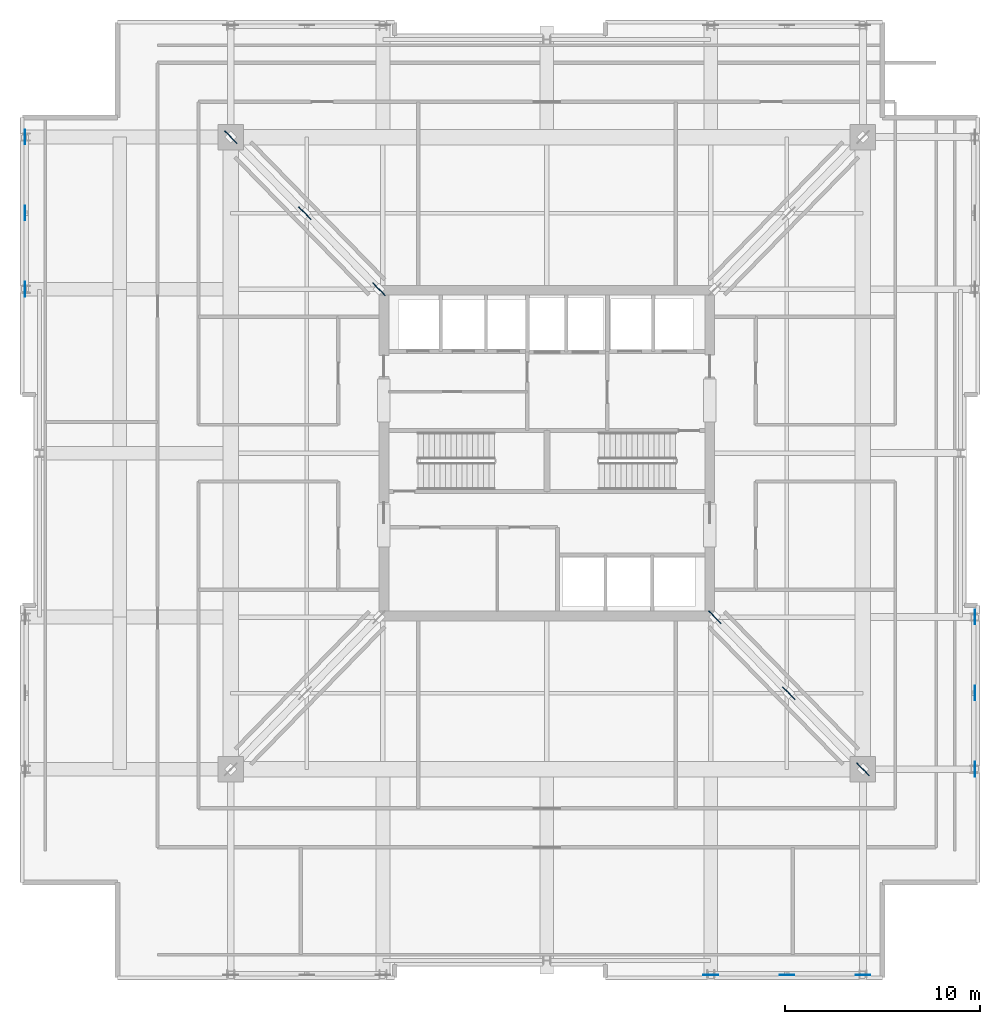
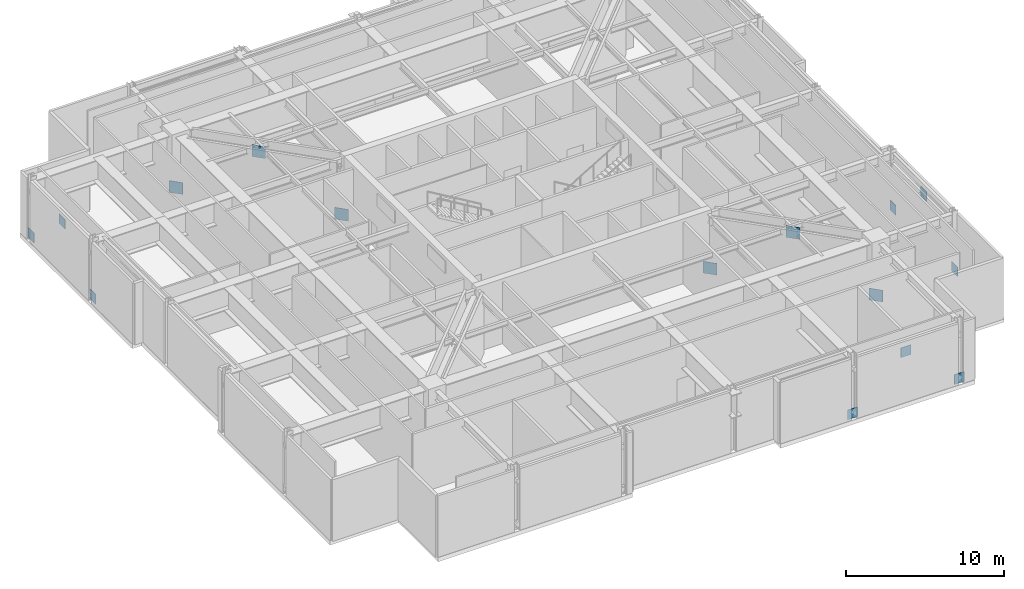
# One storey, part 5 of 13: 15 plates.
"""IFC4 building model written with IfcOpenShell, lengths in metres."""

from ifc_helpers import new_model, si_unit, direction, frame, origin, origin_2d, place, context, subcontext, project, spatial, rectangle, extrude, material, layer, layer_set, type_object, element, save


model = new_model("IFC4")

# Units and contexts
model_context = context("Model", 3, precision=1e-05, world=origin(), true_north=direction((0.0, 1.0)))
body_context = subcontext(model_context, "Body", "Model", "MODEL_VIEW")
ifc_project = project(units=[si_unit("LENGTHUNIT", "METRE"), si_unit("AREAUNIT", "SQUARE_METRE"), si_unit("VOLUMEUNIT", "CUBIC_METRE"), si_unit("PLANEANGLEUNIT", "RADIAN"), si_unit("MASSUNIT", "GRAM", prefix="KILO")], contexts=[model_context])

# Site, building, storey
site_placement = place(None, origin())
site = spatial("IfcSite", under=ifc_project, at=site_placement, CompositionType="ELEMENT")
building_placement = place(site_placement, origin())
building = spatial("IfcBuilding", under=site, at=building_placement, Name="Drelvath Grand Hotel", CompositionType="ELEMENT")
storey_placement = place(building_placement, frame((0.0, 0.0, 200.10009765625)))
storey = spatial("IfcBuildingStorey", under=building, at=storey_placement, Name="L52", CompositionType="ELEMENT", Elevation=200.10009765625)

# Plates
ifc_material = material(Name="Steel ASTM A572 Gr 50", Category="steel")
ifc_layer_1 = layer(ifc_material, 0.031982421875)
ifc_layer_set_1 = layer_set([ifc_layer_1], Name="Steel ASTM A572 Gr 50")
plate_type_1 = type_object("IfcPlateType", Name="Belt Truss Node Gusset Plate 32mm", PredefinedType="USERDEFINED", material=ifc_layer_set_1)
for number, where, z_axis, x_axis, name in (
    (1, (-26.75, 35.39990234375, -0.025146484375), (0.0, 0.0, 1.0), (0.0, 1.0, 0.0), "L52 Belt Truss Start Gusset BW-N"),
    (2, (-26.75, 39.300048828125, 3.40478515625), (0.0, 0.0, 1.0), (0.0, 1.0, 0.0), "L52 Belt Truss Apex Gusset BW-N"),
    (3, (-26.75, 43.199951171875, -0.025146484375), (0.0, 0.0, 1.0), (0.0, 1.0, 0.0), "L52 Belt Truss End Gusset BW-N"),
    (4, (21.949951171875, 10.800048828125, -0.025146484375), (0.0, 0.0, 1.0), (0.0, 1.0, 0.0), "L52 Belt Truss Start Gusset BE-S"),
    (5, (21.949951171875, 14.699951171875, 3.40478515625), (0.0, 0.0, 1.0), (0.0, 1.0, 0.0), "L52 Belt Truss Apex Gusset BE-S"),
    (6, (21.949951171875, 18.60009765625, -0.025146484375), (0.0, 0.0, 1.0), (0.0, 1.0, 0.0), "L52 Belt Truss End Gusset BE-S"),
    (7, (8.39990234375, 0.25, -0.025146484375), (0.0, 0.0, 1.0), (1.0, 0.0, 0.0), "L52 Belt Truss Start Gusset BS-E"),
    (8, (12.300048828125, 0.25, 3.40478515625), (0.0, 0.0, 1.0), (1.0, 0.0, 0.0), "L52 Belt Truss Apex Gusset BS-E"),
    (9, (16.199951171875, 0.25, -0.025146484375), (0.0, 0.0, 1.0), (1.0, 0.0, 0.0), "L52 Belt Truss End Gusset BS-E"),
):
    element("IfcPlate", number, at=place(storey_placement, frame(where, z_axis=z_axis, x_axis=x_axis)), inside=storey, type_object=plate_type_1, Name=name, ObjectType="GUSSET_PLATE", PredefinedType="USERDEFINED", context=body_context, shape_type="SweptSolid", body=[
        extrude(rectangle(XDim=0.75, YDim=0.031982421875, at=origin_2d()), origin(), (0.0, 0.0, 1.0), 0.75),
    ])
ifc_layer_2 = layer(ifc_material, 0.0400390625)
ifc_layer_set_2 = layer_set([ifc_layer_2], Name="Steel ASTM A572 Gr 50")
plate_type_2 = type_object("IfcPlateType", Name="Outrigger Node Gusset Plate 40mm", PredefinedType="USERDEFINED", material=ifc_layer_set_2)
for number, where, z_axis, x_axis, name in (
    (10, (8.60009765625, 18.60009765625, -0.10009765625), (0.0, 0.0, 1.0), (0.697864726909, -0.716229588146, 0.0), "L52 Outrigger Node Gusset SE-1"),
    (11, (12.39990234375, 14.699951171875, 3.699951171875), (0.0, 0.0, 1.0), (0.697864726909, -0.716229588146, 0.0), "L52 Outrigger Node Gusset SE-2"),
    (12, (16.199951171875, 10.800048828125, -0.10009765625), (0.0, 0.0, 1.0), (0.697864726909, -0.716229588146, 0.0), "L52 Outrigger Node Gusset SE-3"),
    (13, (-8.60009765625, 35.39990234375, -0.10009765625), (0.0, 0.0, 1.0), (-0.697864726909, 0.716229588146, 0.0), "L52 Outrigger Node Gusset NW-1"),
    (14, (-12.39990234375, 39.300048828125, 3.699951171875), (0.0, 0.0, 1.0), (-0.697864726909, 0.716229588146, 0.0), "L52 Outrigger Node Gusset NW-2"),
    (15, (-16.199951171875, 43.199951171875, -0.10009765625), (0.0, 0.0, 1.0), (-0.697864726909, 0.716229588146, 0.0), "L52 Outrigger Node Gusset NW-3"),
):
    element("IfcPlate", number, at=place(storey_placement, frame(where, z_axis=z_axis, x_axis=x_axis)), inside=storey, type_object=plate_type_2, Name=name, ObjectType="GUSSET_PLATE", PredefinedType="USERDEFINED", context=body_context, shape_type="SweptSolid", body=[
        extrude(rectangle(XDim=0.89990234375, YDim=0.0400390625, at=origin_2d()), origin(), (0.0, 0.0, 1.0), 0.89990234375),
    ])

save(model, "model.ifc")
